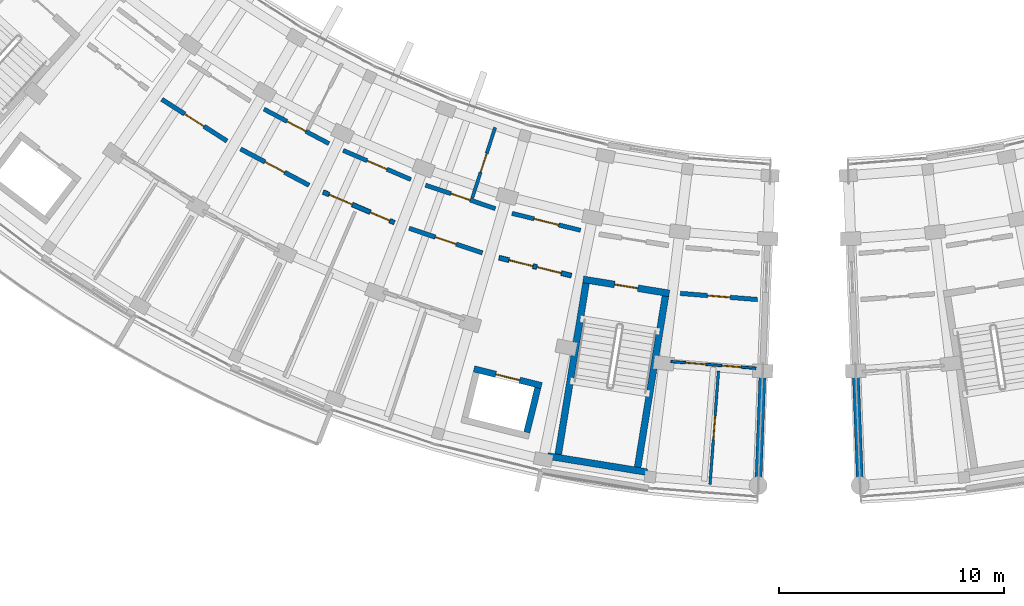
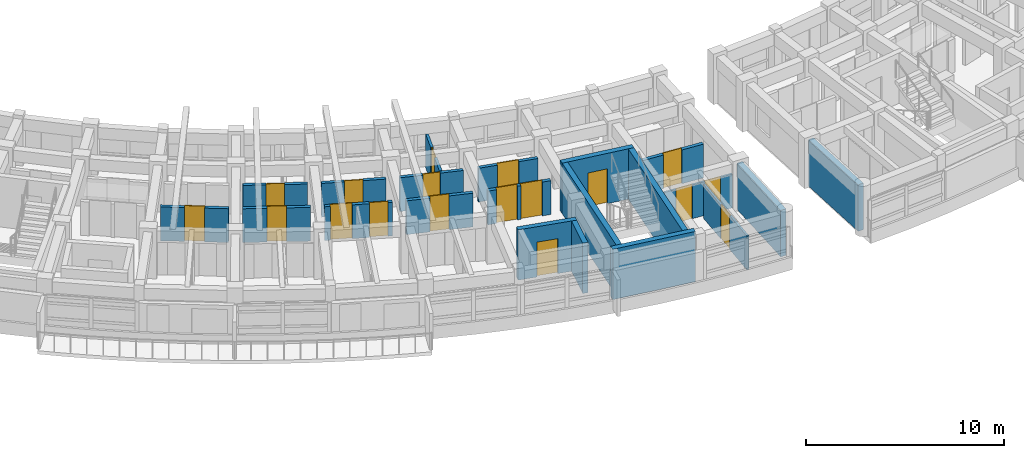
# One storey, part 42 of 70: 21 walls, 18 doors, 18 openings.
"""IFC4 building model written with IfcOpenShell, lengths in metres."""

from ifc_helpers import new_model, si_unit, direction, frame, frame_2d, origin, place, context, subcontext, project, spatial, rectangle, extrude, material, layer, layer_set, type_object, element, fill, save


model = new_model("IFC4")

# Units and contexts
model_context = context("Model", 3, precision=1e-05, world=origin(), true_north=direction((0.0, 1.0)))
body_context = subcontext(model_context, "Body", "Model", "MODEL_VIEW")
ifc_project = project(units=[si_unit("LENGTHUNIT", "METRE"), si_unit("AREAUNIT", "SQUARE_METRE"), si_unit("VOLUMEUNIT", "CUBIC_METRE"), si_unit("PLANEANGLEUNIT", "RADIAN"), si_unit("MASSUNIT", "GRAM", prefix="KILO")], contexts=[model_context])

# Site, building, storey
site_placement = place(None, origin())
site = spatial("IfcSite", under=ifc_project, at=site_placement, CompositionType="ELEMENT")
building_placement = place(site_placement, origin())
building = spatial("IfcBuilding", under=site, at=building_placement, Name="Zimvara Arc Housing Community", CompositionType="ELEMENT")
storey_placement = place(building_placement, frame((0.0, 0.0, 8.10009765625)))
storey = spatial("IfcBuildingStorey", under=building, at=storey_placement, Name="L02", CompositionType="ELEMENT", Elevation=8.10009765625)

# Wall, openings, doors
ifc_material_1 = material(Name="Concrete C35/45", Category="concrete")
ifc_layer_1 = layer(ifc_material_1, 0.2099609375)
ifc_layer_set_1 = layer_set([ifc_layer_1], Name="Concrete C35/45")
wall_type_1 = type_object("IfcWallType", Name="IWL-CCF-210", PredefinedType="SOLIDWALL", material=ifc_layer_set_1)
wall_1_placement = place(storey_placement, frame((112.222900390625, 61.130126953125, 0.0), z_axis=(0.0, 0.0, 1.0), x_axis=(0.970719238682, -0.240216901263, 0.0)))
wall_1 = element("IfcWall", 1, at=wall_1_placement, inside=storey, type_object=wall_type_1, Name="iwall:blkC:L02:ll_div:b7", PredefinedType="SOLIDWALL", context=body_context, shape_type="SweptSolid", body=[
    extrude(rectangle(XDim=3.2958984375, YDim=0.2099609375, at=frame_2d((1.64794921875, 0.0))), origin(), (0.0, 0.0, 1.0), 2.079833984375),
])
opening_1_placement = place(wall_1_placement, frame((0.449951171875, 0.0, 0.0)))
opening_1 = element("IfcOpeningElement", 2, at=opening_1_placement, cuts=wall_1, Name="Opening FD-CCF1", PredefinedType="OPENING", context=body_context, shape_type="SweptSolid", body=[
    extrude(rectangle(XDim=1.10009765625, YDim=2.14990234375, at=frame_2d((0.550048828125, 1.074951171875))), frame((0.0, 0.114990234375, 0.0), z_axis=(0.0, -1.0, 0.0), x_axis=(1.0, 0.0, 0.0)), (0.0, 0.0, 1.0), 0.22998046875),
])
opening_2_placement = place(wall_1_placement, frame((1.72607421875, 0.0, 0.0)))
opening_2 = element("IfcOpeningElement", 3, at=opening_2_placement, cuts=wall_1, Name="Opening D07", PredefinedType="OPENING", context=body_context, shape_type="SweptSolid", body=[
    extrude(rectangle(XDim=1.1201171875, YDim=2.14990234375, at=frame_2d((0.56005859375, 1.074951171875))), frame((0.0, 0.114990234375, 0.0), z_axis=(0.0, -1.0, 0.0), x_axis=(1.0, 0.0, 0.0)), (0.0, 0.0, 1.0), 0.22998046875),
])
ifc_material_2 = material(Name="Mozambican Hardwood", Category="wood")
door_type_1 = type_object("IfcDoorType", Name="IDR-AMN-1120x2150", OperationType="NOTDEFINED", PredefinedType="DOOR", material=ifc_material_2)
door_1_placement = place(opening_2_placement, origin())
door_1 = element("IfcDoor", 4, at=door_1_placement, inside=storey, type_object=door_type_1, Name="idoor:blkC:L02:rs_in:b7", OperationType="SINGLE_SWING_LEFT", OverallHeight=2.14990234375, OverallWidth=1.1201171875, PredefinedType="DOOR", context=body_context, shape_type="SweptSolid", body=[
    extrude(rectangle(XDim=1.1201171875, YDim=2.14990234375, at=frame_2d((0.56005859375, 1.074951171875))), frame((0.0, 0.02490234375, 0.0), z_axis=(0.0, -1.0, 0.0), x_axis=(1.0, 0.0, 0.0)), (0.0, 0.0, 1.0), 0.050048828125),
])
fill(opening_2, door_1)
ifc_material_3 = material(Name="Anodised Aluminium AW-6063", Category="aluminium")
door_type_2 = type_object("IfcDoorType", Name="IDR-CCF-1100x2150", OperationType="NOTDEFINED", PredefinedType="DOOR", material=ifc_material_3)
door_2_placement = place(opening_1_placement, origin())
door_2 = element("IfcDoor", 5, at=door_2_placement, inside=storey, type_object=door_type_2, Name="idoor:blkC:L02:ll_in:b7", OperationType="SINGLE_SWING_RIGHT", OverallHeight=2.14990234375, OverallWidth=1.10009765625, PredefinedType="DOOR", context=body_context, shape_type="SweptSolid", body=[
    extrude(rectangle(XDim=1.10009765625, YDim=2.14990234375, at=frame_2d((0.550048828125, 1.074951171875))), frame((0.0, 0.02490234375, 0.0), z_axis=(0.0, -1.0, 0.0), x_axis=(1.0, 0.0, 0.0)), (0.0, 0.0, 1.0), 0.050048828125),
])
fill(opening_1, door_2)

# Wall, opening, door
ifc_material_4 = material(Name="Concrete C35/45", Category="concrete")
ifc_layer_2 = layer(ifc_material_4, 0.18994140625)
ifc_layer_set_2 = layer_set([ifc_layer_2], Name="Concrete C35/45")
wall_type_2 = type_object("IfcWallType", Name="IWL-CORR-190", PredefinedType="SOLIDWALL", material=ifc_layer_set_2)
wall_2_placement = place(storey_placement, frame((101.78369140625, 67.726318359375, 0.0), z_axis=(0.0, 0.0, 1.0), x_axis=(0.883444301944, -0.468536194293, 0.0)))
wall_2 = element("IfcWall", 6, at=wall_2_placement, inside=storey, type_object=wall_type_2, Name="iwall:blkC:L02:corr_in:b4", PredefinedType="SOLIDWALL", context=body_context, shape_type="SweptSolid", body=[
    extrude(rectangle(XDim=3.268798828125, YDim=0.18994140625, at=frame_2d((1.63427734375, 0.0))), origin(), (0.0, 0.0, 1.0), 2.079833984375),
])
opening_3_placement = place(wall_2_placement, frame((1.164306640625, 0.0, 0.0)))
opening_3 = element("IfcOpeningElement", 7, at=opening_3_placement, cuts=wall_2, Name="Opening D03", PredefinedType="OPENING", context=body_context, shape_type="SweptSolid", body=[
    extrude(rectangle(XDim=0.93994140625, YDim=2.10009765625, at=frame_2d((0.469970703125, 1.050048828125))), frame((0.0, 0.10498046875, 0.0), z_axis=(0.0, -1.0, 0.0), x_axis=(1.0, 0.0, 0.0)), (0.0, 0.0, 1.0), 0.2099609375),
])
ifc_material_5 = material(Name="Mozambican Hardwood", Category="wood")
door_type_3 = type_object("IfcDoorType", Name="IDR-RM-0940x2100", OperationType="NOTDEFINED", PredefinedType="DOOR", material=ifc_material_5)
door_3_placement = place(opening_3_placement, origin())
door_3 = element("IfcDoor", 8, at=door_3_placement, inside=storey, type_object=door_type_3, Name="idoor:blkC:L02:in_rm:b4", OperationType="SINGLE_SWING_LEFT", OverallHeight=2.10009765625, OverallWidth=0.93994140625, PredefinedType="DOOR", context=body_context, shape_type="SweptSolid", body=[
    extrude(rectangle(XDim=0.93994140625, YDim=2.10009765625, at=frame_2d((0.469970703125, 1.050048828125))), frame((0.0, 0.02490234375, 0.0), z_axis=(0.0, -1.0, 0.0), x_axis=(1.0, 0.0, 0.0)), (0.0, 0.0, 1.0), 0.050048828125),
])
fill(opening_3, door_3)

wall_3_placement = place(storey_placement, frame((105.30224609375, 65.892822265625, 0.0), z_axis=(0.0, 0.0, 1.0), x_axis=(0.918723391052, -0.394901672235, 0.0)))
wall_3 = element("IfcWall", 9, at=wall_3_placement, inside=storey, type_object=wall_type_2, Name="iwall:blkC:L02:corr_in:b5", PredefinedType="SOLIDWALL", context=body_context, shape_type="SweptSolid", body=[
    extrude(rectangle(XDim=3.2685546875, YDim=0.18994140625, at=frame_2d((1.63427734375, 0.0))), origin(), (0.0, 0.0, 1.0), 2.079833984375),
])
opening_4_placement = place(wall_3_placement, frame((1.154296875, 0.0, 0.0)))
opening_4 = element("IfcOpeningElement", 10, at=opening_4_placement, cuts=wall_3, Name="Opening D04", PredefinedType="OPENING", context=body_context, shape_type="SweptSolid", body=[
    extrude(rectangle(XDim=0.9599609375, YDim=2.10009765625, at=frame_2d((0.47998046875, 1.050048828125))), frame((0.0, 0.10498046875, 0.0), z_axis=(0.0, -1.0, 0.0), x_axis=(1.0, 0.0, 0.0)), (0.0, 0.0, 1.0), 0.2099609375),
])
ifc_material_6 = material(Name="Mozambican Hardwood", Category="wood")
door_type_4 = type_object("IfcDoorType", Name="IDR-RM-0960x2100", OperationType="NOTDEFINED", PredefinedType="DOOR", material=ifc_material_6)
door_4_placement = place(opening_4_placement, origin())
door_4 = element("IfcDoor", 11, at=door_4_placement, inside=storey, type_object=door_type_4, Name="idoor:blkC:L02:in_rm:b5", OperationType="SINGLE_SWING_RIGHT", OverallHeight=2.10009765625, OverallWidth=0.9599609375, PredefinedType="DOOR", context=body_context, shape_type="SweptSolid", body=[
    extrude(rectangle(XDim=0.9599609375, YDim=2.10009765625, at=frame_2d((0.47998046875, 1.050048828125))), frame((0.0, 0.02490234375, 0.0), z_axis=(0.0, -1.0, 0.0), x_axis=(1.0, 0.0, 0.0)), (0.0, 0.0, 1.0), 0.050048828125),
])
fill(opening_4, door_4)

wall_4_placement = place(storey_placement, frame((108.95849609375, 64.352294921875, 0.0), z_axis=(0.0, 0.0, 1.0), x_axis=(0.94787351033, -0.318646839643, 0.0)))
wall_4 = element("IfcWall", 12, at=wall_4_placement, inside=storey, type_object=wall_type_2, Name="iwall:blkC:L02:corr_in:b6", PredefinedType="SOLIDWALL", context=body_context, shape_type="SweptSolid", body=[
    extrude(rectangle(XDim=3.2685546875, YDim=0.18994140625, at=frame_2d((1.63427734375, 0.0))), origin(), (0.0, 0.0, 1.0), 2.079833984375),
])
opening_5_placement = place(wall_4_placement, frame((1.184326171875, 0.0, 0.0)))
opening_5 = element("IfcOpeningElement", 13, at=opening_5_placement, cuts=wall_4, Name="Opening D01", PredefinedType="OPENING", context=body_context, shape_type="SweptSolid", body=[
    extrude(rectangle(XDim=0.89990234375, YDim=2.10009765625, at=frame_2d((0.449951171875, 1.050048828125))), frame((0.0, 0.10498046875, 0.0), z_axis=(0.0, -1.0, 0.0), x_axis=(1.0, 0.0, 0.0)), (0.0, 0.0, 1.0), 0.2099609375),
])
ifc_material_7 = material(Name="Mozambican Hardwood", Category="wood")
door_type_5 = type_object("IfcDoorType", Name="IDR-RM-0900x2100", OperationType="NOTDEFINED", PredefinedType="DOOR", material=ifc_material_7)
door_5_placement = place(opening_5_placement, origin())
door_5 = element("IfcDoor", 14, at=door_5_placement, inside=storey, type_object=door_type_5, Name="idoor:blkC:L02:in_rm:b6", OperationType="SINGLE_SWING_LEFT", OverallHeight=2.10009765625, OverallWidth=0.89990234375, PredefinedType="DOOR", context=body_context, shape_type="SweptSolid", body=[
    extrude(rectangle(XDim=0.89990234375, YDim=2.10009765625, at=frame_2d((0.449951171875, 1.050048828125))), frame((0.0, 0.02490234375, 0.0), z_axis=(0.0, -1.0, 0.0), x_axis=(1.0, 0.0, 0.0)), (0.0, 0.0, 1.0), 0.050048828125),
])
fill(opening_5, door_5)

wall_5_placement = place(storey_placement, frame((112.796142578125, 63.098388671875, 0.0), z_axis=(0.0, 0.0, 1.0), x_axis=(0.970708998014, -0.240258280136, 0.0)))
wall_5 = element("IfcWall", 15, at=wall_5_placement, inside=storey, type_object=wall_type_2, Name="iwall:blkC:L02:ra_div:b7", PredefinedType="SOLIDWALL", context=body_context, shape_type="SweptSolid", body=[
    extrude(rectangle(XDim=3.128662109375, YDim=0.18994140625, at=frame_2d((1.564453125, 0.0))), origin(), (0.0, 0.0, 1.0), 2.079833984375),
])
opening_6_placement = place(wall_5_placement, frame((1.00439453125, 0.0, 0.0)))
opening_6 = element("IfcOpeningElement", 16, at=opening_6_placement, cuts=wall_5, Name="Opening D07", PredefinedType="OPENING", context=body_context, shape_type="SweptSolid", body=[
    extrude(rectangle(XDim=1.1201171875, YDim=2.14990234375, at=frame_2d((0.56005859375, 1.074951171875))), frame((0.0, 0.10498046875, 0.0), z_axis=(0.0, -1.0, 0.0), x_axis=(1.0, 0.0, 0.0)), (0.0, 0.0, 1.0), 0.2099609375),
])
door_6_placement = place(opening_6_placement, origin())
door_6 = element("IfcDoor", 17, at=door_6_placement, inside=storey, type_object=door_type_1, Name="idoor:blkC:L02:ra_d:b7", OperationType="SINGLE_SWING_RIGHT", OverallHeight=2.14990234375, OverallWidth=1.1201171875, PredefinedType="DOOR", context=body_context, shape_type="SweptSolid", body=[
    extrude(rectangle(XDim=1.1201171875, YDim=2.14990234375, at=frame_2d((0.56005859375, 1.074951171875))), frame((0.0, 0.02490234375, 0.0), z_axis=(0.0, -1.0, 0.0), x_axis=(1.0, 0.0, 0.0)), (0.0, 0.0, 1.0), 0.050048828125),
])
fill(opening_6, door_6)

ifc_material_8 = material(Name="Concrete C35/45", Category="concrete")
ifc_layer_3 = layer(ifc_material_8, 0.199951171875)
ifc_layer_set_3 = layer_set([ifc_layer_3], Name="Concrete C35/45")
wall_type_3 = type_object("IfcWallType", Name="IWL-CORR-200", PredefinedType="SOLIDWALL", material=ifc_layer_set_3)
wall_6_placement = place(storey_placement, frame((97.252197265625, 68.160888671875, 0.0), z_axis=(0.0, 0.0, 1.0), x_axis=(0.842289466461, -0.53902546757, 0.0)))
wall_6 = element("IfcWall", 18, at=wall_6_placement, inside=storey, type_object=wall_type_3, Name="iwall:blkC:L02:corr_out:b3", PredefinedType="SOLIDWALL", context=body_context, shape_type="SweptSolid", body=[
    extrude(rectangle(XDim=3.43603515625, YDim=0.199951171875, at=frame_2d((1.718017578125, 0.0))), origin(), (0.0, 0.0, 1.0), 2.079833984375),
])
opening_7_placement = place(wall_6_placement, frame((1.2080078125, 0.0, 0.0)))
opening_7 = element("IfcOpeningElement", 19, at=opening_7_placement, cuts=wall_6, Name="Opening FD-FL2", PredefinedType="OPENING", context=body_context, shape_type="SweptSolid", body=[
    extrude(rectangle(XDim=1.02001953125, YDim=2.14990234375, at=frame_2d((0.510009765625, 1.074951171875))), frame((0.0, 0.10986328125, 0.0), z_axis=(0.0, -1.0, 0.0), x_axis=(1.0, 0.0, 0.0)), (0.0, 0.0, 1.0), 0.219970703125),
])
ifc_material_9 = material(Name="Mozambican Hardwood", Category="wood")
door_type_6 = type_object("IfcDoorType", Name="IDR-FLAT-1020x2150", OperationType="NOTDEFINED", PredefinedType="DOOR", material=ifc_material_9)
door_7_placement = place(opening_7_placement, origin())
door_7 = element("IfcDoor", 20, at=door_7_placement, inside=storey, type_object=door_type_6, Name="idoor:blkC:L02:flat:b3", OperationType="SINGLE_SWING_LEFT", OverallHeight=2.14990234375, OverallWidth=1.02001953125, PredefinedType="DOOR", context=body_context, shape_type="SweptSolid", body=[
    extrude(rectangle(XDim=1.02001953125, YDim=2.14990234375, at=frame_2d((0.510009765625, 1.074951171875))), frame((0.0, 0.02490234375, 0.0), z_axis=(0.0, -1.0, 0.0), x_axis=(1.0, 0.0, 0.0)), (0.0, 0.0, 1.0), 0.050048828125),
])
fill(opening_7, door_7)

wall_7_placement = place(storey_placement, frame((100.750244140625, 65.9560546875, 0.0), z_axis=(0.0, 0.0, 1.0), x_axis=(0.883440266101, -0.468543803963, 0.0)))
wall_7 = element("IfcWall", 21, at=wall_7_placement, inside=storey, type_object=wall_type_3, Name="iwall:blkC:L02:corr_out:b4", PredefinedType="SOLIDWALL", context=body_context, shape_type="SweptSolid", body=[
    extrude(rectangle(XDim=3.435791015625, YDim=0.199951171875, at=frame_2d((1.7177734375, 0.0))), origin(), (0.0, 0.0, 1.0), 2.079833984375),
])
opening_8_placement = place(wall_7_placement, frame((1.22802734375, 0.0, 0.0)))
opening_8 = element("IfcOpeningElement", 22, at=opening_8_placement, cuts=wall_7, Name="Opening FD-FL1", PredefinedType="OPENING", context=body_context, shape_type="SweptSolid", body=[
    extrude(rectangle(XDim=0.97998046875, YDim=2.14990234375, at=frame_2d((0.489990234375, 1.074951171875))), frame((0.0, 0.10986328125, 0.0), z_axis=(0.0, -1.0, 0.0), x_axis=(1.0, 0.0, 0.0)), (0.0, 0.0, 1.0), 0.219970703125),
])
ifc_material_10 = material(Name="Mozambican Hardwood", Category="wood")
door_type_7 = type_object("IfcDoorType", Name="IDR-FLAT-0980x2150", OperationType="NOTDEFINED", PredefinedType="DOOR", material=ifc_material_10)
door_8_placement = place(opening_8_placement, origin())
door_8 = element("IfcDoor", 23, at=door_8_placement, inside=storey, type_object=door_type_7, Name="idoor:blkC:L02:flat:b4", OperationType="SINGLE_SWING_RIGHT", OverallHeight=2.14990234375, OverallWidth=0.97998046875, PredefinedType="DOOR", context=body_context, shape_type="SweptSolid", body=[
    extrude(rectangle(XDim=0.97998046875, YDim=2.14990234375, at=frame_2d((0.489990234375, 1.074951171875))), frame((0.0, 0.02490234375, 0.0), z_axis=(0.0, -1.0, 0.0), x_axis=(1.0, 0.0, 0.0)), (0.0, 0.0, 1.0), 0.050048828125),
])
fill(opening_8, door_8)

# Wall, openings, doors
wall_8_placement = place(storey_placement, frame((104.41650390625, 64.0439453125, 0.0), z_axis=(0.0, 0.0, 1.0), x_axis=(0.918718172399, -0.394913813008, 0.0)))
wall_8 = element("IfcWall", 24, at=wall_8_placement, inside=storey, type_object=wall_type_3, Name="iwall:blkC:L02:corr_out:b5", PredefinedType="SOLIDWALL", context=body_context, shape_type="SweptSolid", body=[
    extrude(rectangle(XDim=3.43603515625, YDim=0.199951171875, at=frame_2d((1.718017578125, 0.0))), origin(), (0.0, 0.0, 1.0), 2.079833984375),
])
opening_9_placement = place(wall_8_placement, frame((0.280029296875, 0.0, 0.0)))
opening_9 = element("IfcOpeningElement", 25, at=opening_9_placement, cuts=wall_8, Name="Opening D07", PredefinedType="OPENING", context=body_context, shape_type="SweptSolid", body=[
    extrude(rectangle(XDim=1.1201171875, YDim=2.14990234375, at=frame_2d((0.56005859375, 1.074951171875))), frame((0.0, 0.10986328125, 0.0), z_axis=(0.0, -1.0, 0.0), x_axis=(1.0, 0.0, 0.0)), (0.0, 0.0, 1.0), 0.219970703125),
])
opening_10_placement = place(wall_8_placement, frame((2.26611328125, 0.0, 0.0)))
opening_10 = element("IfcOpeningElement", 26, at=opening_10_placement, cuts=wall_8, Name="Opening D06", PredefinedType="OPENING", context=body_context, shape_type="SweptSolid", body=[
    extrude(rectangle(XDim=0.949951171875, YDim=2.10009765625, at=frame_2d((0.47509765625, 1.050048828125))), frame((0.0, 0.10986328125, 0.0), z_axis=(0.0, -1.0, 0.0), x_axis=(1.0, 0.0, 0.0)), (0.0, 0.0, 1.0), 0.219970703125),
])
door_9_placement = place(opening_9_placement, origin())
door_9 = element("IfcDoor", 27, at=door_9_placement, inside=storey, type_object=door_type_1, Name="idoor:blkC:L02:amen:b5", OperationType="SINGLE_SWING_RIGHT", OverallHeight=2.14990234375, OverallWidth=1.1201171875, PredefinedType="DOOR", context=body_context, shape_type="SweptSolid", body=[
    extrude(rectangle(XDim=1.1201171875, YDim=2.14990234375, at=frame_2d((0.56005859375, 1.074951171875))), frame((0.0, 0.02490234375, 0.0), z_axis=(0.0, -1.0, 0.0), x_axis=(1.0, 0.0, 0.0)), (0.0, 0.0, 1.0), 0.050048828125),
])
fill(opening_9, door_9)
ifc_material_11 = material(Name="Mozambican Hardwood", Category="wood")
door_type_8 = type_object("IfcDoorType", Name="IDR-AWC-0950x2100", OperationType="NOTDEFINED", PredefinedType="DOOR", material=ifc_material_11)
door_10_placement = place(opening_10_placement, origin())
door_10 = element("IfcDoor", 28, at=door_10_placement, inside=storey, type_object=door_type_8, Name="idoor:blkC:L02:cawc:b5", OperationType="SINGLE_SWING_LEFT", OverallHeight=2.10009765625, OverallWidth=0.949951171875, PredefinedType="DOOR", context=body_context, shape_type="SweptSolid", body=[
    extrude(rectangle(XDim=0.949951171875, YDim=2.10009765625, at=frame_2d((0.47509765625, 1.050048828125))), frame((0.0, 0.02490234375, 0.0), z_axis=(0.0, -1.0, 0.0), x_axis=(1.0, 0.0, 0.0)), (0.0, 0.0, 1.0), 0.050048828125),
])
fill(opening_10, door_10)

# Wall, opening, door
wall_9_placement = place(storey_placement, frame((108.2265625, 62.437255859375, 0.0), z_axis=(0.0, 0.0, 1.0), x_axis=(0.947884468821, -0.318614239745, 0.0)))
wall_9 = element("IfcWall", 29, at=wall_9_placement, inside=storey, type_object=wall_type_3, Name="iwall:blkC:L02:corr_out:b6", PredefinedType="SOLIDWALL", context=body_context, shape_type="SweptSolid", body=[
    extrude(rectangle(XDim=3.435791015625, YDim=0.199951171875, at=frame_2d((1.7177734375, 0.0))), origin(), (0.0, 0.0, 1.0), 2.079833984375),
])
opening_11_placement = place(wall_9_placement, frame((1.22802734375, 0.0, 0.0)))
opening_11 = element("IfcOpeningElement", 30, at=opening_11_placement, cuts=wall_9, Name="Opening FD-FL1", PredefinedType="OPENING", context=body_context, shape_type="SweptSolid", body=[
    extrude(rectangle(XDim=0.97998046875, YDim=2.14990234375, at=frame_2d((0.489990234375, 1.074951171875))), frame((0.0, 0.10986328125, 0.0), z_axis=(0.0, -1.0, 0.0), x_axis=(1.0, 0.0, 0.0)), (0.0, 0.0, 1.0), 0.219970703125),
])
door_11_placement = place(opening_11_placement, origin())
door_11 = element("IfcDoor", 31, at=door_11_placement, inside=storey, type_object=door_type_7, Name="idoor:blkC:L02:flat:b6", OperationType="SINGLE_SWING_RIGHT", OverallHeight=2.14990234375, OverallWidth=0.97998046875, PredefinedType="DOOR", context=body_context, shape_type="SweptSolid", body=[
    extrude(rectangle(XDim=0.97998046875, YDim=2.14990234375, at=frame_2d((0.489990234375, 1.074951171875))), frame((0.0, 0.02490234375, 0.0), z_axis=(0.0, -1.0, 0.0), x_axis=(1.0, 0.0, 0.0)), (0.0, 0.0, 1.0), 0.050048828125),
])
fill(opening_11, door_11)

wall_10_placement = place(storey_placement, frame((120.261474609375, 59.547119140625, 0.0), z_axis=(0.0, 0.0, 1.0), x_axis=(0.996862545573, -0.079152165058, 0.0)))
wall_10 = element("IfcWall", 32, at=wall_10_placement, inside=storey, type_object=wall_type_3, Name="iwall:blkC:L02:corr_out:b9", PredefinedType="SOLIDWALL", context=body_context, shape_type="SweptSolid", body=[
    extrude(rectangle(XDim=3.43603515625, YDim=0.199951171875, at=frame_2d((1.718017578125, 0.0))), origin(), (0.0, 0.0, 1.0), 2.079833984375),
])
opening_12_placement = place(wall_10_placement, frame((1.2080078125, 0.0, 0.0)))
opening_12 = element("IfcOpeningElement", 33, at=opening_12_placement, cuts=wall_10, Name="Opening FD-FL2", PredefinedType="OPENING", context=body_context, shape_type="SweptSolid", body=[
    extrude(rectangle(XDim=1.02001953125, YDim=2.14990234375, at=frame_2d((0.510009765625, 1.074951171875))), frame((0.0, 0.10986328125, 0.0), z_axis=(0.0, -1.0, 0.0), x_axis=(1.0, 0.0, 0.0)), (0.0, 0.0, 1.0), 0.219970703125),
])
door_12_placement = place(opening_12_placement, origin())
door_12 = element("IfcDoor", 34, at=door_12_placement, inside=storey, type_object=door_type_6, Name="idoor:blkC:L02:flat:b9", OperationType="SINGLE_SWING_RIGHT", OverallHeight=2.14990234375, OverallWidth=1.02001953125, PredefinedType="DOOR", context=body_context, shape_type="SweptSolid", body=[
    extrude(rectangle(XDim=1.02001953125, YDim=2.14990234375, at=frame_2d((0.510009765625, 1.074951171875))), frame((0.0, 0.02490234375, 0.0), z_axis=(0.0, -1.0, 0.0), x_axis=(1.0, 0.0, 0.0)), (0.0, 0.0, 1.0), 0.050048828125),
])
fill(opening_12, door_12)

# Wall, openings, doors
ifc_material_12 = material(Name="Painted Acoustic Plasterboard")
ifc_layer_4 = layer(ifc_material_12, 0.110107421875)
ifc_layer_set_4 = layer_set([ifc_layer_4], Name="Painted Acoustic Plasterboard")
wall_type_4 = type_object("IfcWallType", Name="IWL-PART-110", PredefinedType="PARTITIONING", material=ifc_layer_set_4)
wall_11_placement = place(storey_placement, frame((119.846435546875, 56.52294921875, 0.0), z_axis=(0.0, 0.0, 1.0), x_axis=(0.996863292793, -0.079142753818, 0.0)))
wall_11 = element("IfcWall", 35, at=wall_11_placement, inside=storey, type_object=wall_type_4, Name="iwall:blkC:L02:srv:b9", PredefinedType="PARTITIONING", context=body_context, shape_type="SweptSolid", body=[
    extrude(rectangle(XDim=3.78515625, YDim=0.110107421875, at=frame_2d((1.892578125, 0.0))), origin(), (0.0, 0.0, 1.0), 2.079833984375),
])
opening_13_placement = place(wall_11_placement, frame((0.64990234375, 0.0, 0.0)))
opening_13 = element("IfcOpeningElement", 36, at=opening_13_placement, cuts=wall_11, Name="Opening D01", PredefinedType="OPENING", context=body_context, shape_type="SweptSolid", body=[
    extrude(rectangle(XDim=0.89990234375, YDim=2.10009765625, at=frame_2d((0.449951171875, 1.050048828125))), frame((0.0, 0.06494140625, 0.0), z_axis=(0.0, -1.0, 0.0), x_axis=(1.0, 0.0, 0.0)), (0.0, 0.0, 1.0), 0.130126953125),
])
opening_14_placement = place(wall_11_placement, frame((2.255126953125, 0.0, 0.0)))
opening_14 = element("IfcOpeningElement", 37, at=opening_14_placement, cuts=wall_11, Name="Opening D05", PredefinedType="OPENING", context=body_context, shape_type="SweptSolid", body=[
    extrude(rectangle(XDim=0.8798828125, YDim=2.10009765625, at=frame_2d((0.43994140625, 1.050048828125))), frame((0.0, 0.06494140625, 0.0), z_axis=(0.0, -1.0, 0.0), x_axis=(1.0, 0.0, 0.0)), (0.0, 0.0, 1.0), 0.130126953125),
])
door_13_placement = place(opening_13_placement, origin())
door_13 = element("IfcDoor", 38, at=door_13_placement, inside=storey, type_object=door_type_5, Name="idoor:blkC:L02:kit_liv:b9", OperationType="SINGLE_SWING_RIGHT", OverallHeight=2.10009765625, OverallWidth=0.89990234375, PredefinedType="DOOR", context=body_context, shape_type="SweptSolid", body=[
    extrude(rectangle(XDim=0.89990234375, YDim=2.10009765625, at=frame_2d((0.449951171875, 1.050048828125))), frame((0.0, 0.02490234375, 0.0), z_axis=(0.0, -1.0, 0.0), x_axis=(1.0, 0.0, 0.0)), (0.0, 0.0, 1.0), 0.050048828125),
])
fill(opening_13, door_13)
ifc_material_13 = material(Name="Mozambican Hardwood", Category="wood")
door_type_9 = type_object("IfcDoorType", Name="IDR-WC-0880x2100", OperationType="NOTDEFINED", PredefinedType="DOOR", material=ifc_material_13)
door_14_placement = place(opening_14_placement, origin())
door_14 = element("IfcDoor", 39, at=door_14_placement, inside=storey, type_object=door_type_9, Name="idoor:blkC:L02:bath_d:b9", OperationType="SINGLE_SWING_LEFT", OverallHeight=2.10009765625, OverallWidth=0.8798828125, PredefinedType="DOOR", context=body_context, shape_type="SweptSolid", body=[
    extrude(rectangle(XDim=0.8798828125, YDim=2.10009765625, at=frame_2d((0.43994140625, 1.050048828125))), frame((0.0, 0.02490234375, 0.0), z_axis=(0.0, -1.0, 0.0), x_axis=(1.0, 0.0, 0.0)), (0.0, 0.0, 1.0), 0.050048828125),
])
fill(opening_14, door_14)

# Wall, opening, door
ifc_material_14 = material(Name="Painted Acoustic Plasterboard")
ifc_layer_5 = layer(ifc_material_14, 0.1201171875)
ifc_layer_set_5 = layer_set([ifc_layer_5], Name="Painted Acoustic Plasterboard")
wall_type_5 = type_object("IfcWallType", Name="IWL-PART-120", PredefinedType="PARTITIONING", material=ifc_layer_set_5)
wall_12_placement = place(storey_placement, frame((121.95654296875, 56.1103515625, 0.0), z_axis=(0.0, 0.0, 1.0), x_axis=(-0.074644522148, -0.997210206182, 0.0)))
wall_12 = element("IfcWall", 40, at=wall_12_placement, inside=storey, type_object=wall_type_5, Name="iwall:blkC:L02:bed_div:b9", PredefinedType="PARTITIONING", context=body_context, shape_type="SweptSolid", body=[
    extrude(rectangle(XDim=5.050048828125, YDim=0.1201171875, at=frame_2d((2.52490234375, 0.0))), origin(), (0.0, 0.0, 1.0), 2.079833984375),
])
opening_15_placement = place(wall_12_placement, frame((1.9951171875, 0.0, 0.0)))
opening_15 = element("IfcOpeningElement", 41, at=opening_15_placement, cuts=wall_12, Name="Opening D16", PredefinedType="OPENING", context=body_context, shape_type="SweptSolid", body=[
    extrude(rectangle(XDim=1.06005859375, YDim=2.10009765625, at=frame_2d((0.530029296875, 1.050048828125))), frame((0.0, 0.070068359375, 0.0), z_axis=(0.0, -1.0, 0.0), x_axis=(1.0, 0.0, 0.0)), (0.0, 0.0, 1.0), 0.14013671875),
])
ifc_material_15 = material(Name="Mozambican Hardwood", Category="wood")
door_type_10 = type_object("IfcDoorType", Name="IDR-MOD-1060x2220", OperationType="NOTDEFINED", PredefinedType="DOOR", material=ifc_material_15)
door_15_placement = place(opening_15_placement, origin())
door_15 = element("IfcDoor", 42, at=door_15_placement, inside=storey, type_object=door_type_10, Name="idoor:blkC:L02:bed_d:b9", OperationType="SINGLE_SWING_RIGHT", OverallHeight=2.10009765625, OverallWidth=1.06005859375, PredefinedType="DOOR", context=body_context, shape_type="SweptSolid", body=[
    extrude(rectangle(XDim=1.06005859375, YDim=2.10009765625, at=frame_2d((0.530029296875, 1.050048828125))), frame((0.0, 0.02490234375, 0.0), z_axis=(0.0, -1.0, 0.0), x_axis=(1.0, 0.0, 0.0)), (0.0, 0.0, 1.0), 0.050048828125),
])
fill(opening_15, door_15)

ifc_material_16 = material(Name="Painted Acoustic Plasterboard")
ifc_layer_6 = layer(ifc_material_16, 0.14501953125)
ifc_layer_set_6 = layer_set([ifc_layer_6], Name="Painted Acoustic Plasterboard")
wall_type_6 = type_object("IfcWallType", Name="IWL-WET-145", PredefinedType="PARTITIONING", material=ifc_layer_set_6)
wall_13_placement = place(storey_placement, frame((112.04638671875, 66.913818359375, 0.0), z_axis=(0.0, 0.0, 1.0), x_axis=(-0.308582493915, -0.951197584337, 0.0)))
wall_13 = element("IfcWall", 43, at=wall_13_placement, inside=storey, type_object=wall_type_6, Name="iwall:blkC:L02:ens:b6", PredefinedType="PARTITIONING", context=body_context, shape_type="SweptSolid", body=[
    extrude(rectangle(XDim=3.300048828125, YDim=0.14501953125, at=frame_2d((1.64990234375, 0.0))), origin(), (0.0, 0.0, 1.0), 2.079833984375),
])
opening_16_placement = place(wall_13_placement, frame((1.2099609375, 0.0, 0.0)))
opening_16 = element("IfcOpeningElement", 44, at=opening_16_placement, cuts=wall_13, Name="Opening D05", PredefinedType="OPENING", context=body_context, shape_type="SweptSolid", body=[
    extrude(rectangle(XDim=0.8798828125, YDim=2.10009765625, at=frame_2d((0.43994140625, 1.050048828125))), frame((0.0, 0.08251953125, 0.0), z_axis=(0.0, -1.0, 0.0), x_axis=(1.0, 0.0, 0.0)), (0.0, 0.0, 1.0), 0.1650390625),
])
door_16_placement = place(opening_16_placement, origin())
door_16 = element("IfcDoor", 45, at=door_16_placement, inside=storey, type_object=door_type_9, Name="idoor:blkC:L02:ens_d:b6", OperationType="SINGLE_SWING_RIGHT", OverallHeight=2.10009765625, OverallWidth=0.8798828125, PredefinedType="DOOR", context=body_context, shape_type="SweptSolid", body=[
    extrude(rectangle(XDim=0.8798828125, YDim=2.10009765625, at=frame_2d((0.43994140625, 1.050048828125))), frame((0.0, 0.02490234375, 0.0), z_axis=(0.0, -1.0, 0.0), x_axis=(1.0, 0.0, 0.0)), (0.0, 0.0, 1.0), 0.050048828125),
])
fill(opening_16, door_16)

ifc_material_17 = material(Name="Concrete C40/50", Category="concrete")
ifc_layer_7 = layer(ifc_material_17, 0.280029296875)
ifc_layer_set_7 = layer_set([ifc_layer_7], Name="Concrete C40/50")
wall_type_7 = type_object("IfcWallType", Name="WL-CORE-280", PredefinedType="SHEAR", material=ifc_layer_set_7)
wall_14_placement = place(storey_placement, frame((111.10791015625, 56.1962890625, 0.0), z_axis=(0.0, 0.0, 1.0), x_axis=(0.970706856107, -0.240266933861, 0.0)))
wall_14 = element("IfcWall", 46, at=wall_14_placement, inside=storey, type_object=wall_type_7, Name="lwall:LP-C2:L02:front", PredefinedType="SHEAR", context=body_context, shape_type="SweptSolid", body=[
    extrude(rectangle(XDim=3.090087890625, YDim=0.280029296875, at=frame_2d((1.544921875, 0.0))), origin(), (0.0, 0.0, 1.0), 3.099853515625),
])
opening_17_placement = place(wall_14_placement, frame((0.9951171875, 0.0, 0.0)))
opening_17 = element("IfcOpeningElement", 47, at=opening_17_placement, cuts=wall_14, Name="Opening LD-LP-C2", PredefinedType="OPENING", context=body_context, shape_type="SweptSolid", body=[
    extrude(rectangle(XDim=1.10009765625, YDim=2.14990234375, at=frame_2d((0.550048828125, 1.074951171875))), frame((0.0, 0.14990234375, 0.0), z_axis=(0.0, -1.0, 0.0), x_axis=(1.0, 0.0, 0.0)), (0.0, 0.0, 1.0), 0.300048828125),
])
ifc_material_18 = material(Name="Anodised Aluminium AW-6063", Category="aluminium")
door_type_11 = type_object("IfcDoorType", Name="IDR-LD-1100x2150", OperationType="DOUBLE_DOOR_SLIDING", PredefinedType="DOOR", material=ifc_material_18)
door_17_placement = place(opening_17_placement, origin())
door_17 = element("IfcDoor", 48, at=door_17_placement, inside=storey, type_object=door_type_11, Name="Lift LP-C2 Sliding Landing Door L02", OperationType="DOUBLE_DOOR_SLIDING", OverallHeight=2.14990234375, OverallWidth=1.10009765625, PredefinedType="DOOR", context=body_context, shape_type="SweptSolid", body=[
    extrude(rectangle(XDim=1.10009765625, YDim=2.14990234375, at=frame_2d((0.550048828125, 1.074951171875))), frame((0.0, 0.02490234375, 0.0), z_axis=(0.0, -1.0, 0.0), x_axis=(1.0, 0.0, 0.0)), (0.0, 0.0, 1.0), 0.050048828125),
])
fill(opening_17, door_17)

# Wall
wall_15_placement = place(storey_placement, frame((113.93798828125, 55.3515625, 0.0), z_axis=(0.0, 0.0, 1.0), x_axis=(-0.2402993748, -0.970698825832, 0.0)))
element("IfcWall", 49, at=wall_15_placement, inside=storey, type_object=wall_type_7, Name="lwall:LP-C2:L02:right", PredefinedType="SHEAR", context=body_context, shape_type="SweptSolid", body=[
    extrude(rectangle(XDim=2.030029296875, YDim=0.280029296875, at=frame_2d((1.01513671875, 0.0))), origin(), (0.0, 0.0, 1.0), 3.099853515625),
])

# Wall, opening, door
ifc_material_19 = material(Name="Concrete C40/50", Category="concrete")
ifc_layer_8 = layer(ifc_material_19, 0.300048828125)
ifc_layer_set_8 = layer_set([ifc_layer_8], Name="Concrete C40/50")
wall_type_8 = type_object("IfcWallType", Name="WL-CORE-300", PredefinedType="SHEAR", material=ifc_layer_set_8)
wall_16_placement = place(storey_placement, frame((115.953857421875, 60.16943359375, 0.0), z_axis=(0.0, 0.0, 1.0), x_axis=(0.987077443397, -0.160243941341, 0.0)))
wall_16 = element("IfcWall", 50, at=wall_16_placement, inside=storey, type_object=wall_type_8, Name="cwall:ST-C2:L02:near", PredefinedType="SHEAR", context=body_context, shape_type="SweptSolid", body=[
    extrude(rectangle(XDim=3.869873046875, YDim=0.300048828125, at=frame_2d((1.93505859375, 0.0))), origin(), (0.0, 0.0, 1.0), 3.099853515625),
])
opening_18_placement = place(wall_16_placement, frame((1.409912109375, 0.0, 0.0)))
opening_18 = element("IfcOpeningElement", 51, at=opening_18_placement, cuts=wall_16, Name="Opening FD-ST2", PredefinedType="OPENING", context=body_context, shape_type="SweptSolid", body=[
    extrude(rectangle(XDim=1.050048828125, YDim=2.14990234375, at=frame_2d((0.52490234375, 1.074951171875))), frame((0.0, 0.159912109375, 0.0), z_axis=(0.0, -1.0, 0.0), x_axis=(1.0, 0.0, 0.0)), (0.0, 0.0, 1.0), 0.320068359375),
])
ifc_material_20 = material(Name="Anodised Aluminium AW-6063", Category="aluminium")
door_type_12 = type_object("IfcDoorType", Name="IDR-ST-1050x2150", OperationType="NOTDEFINED", PredefinedType="DOOR", material=ifc_material_20)
door_18_placement = place(opening_18_placement, origin())
door_18 = element("IfcDoor", 52, at=door_18_placement, inside=storey, type_object=door_type_12, Name="idoor:ST-C2:L02:entry", OperationType="SINGLE_SWING_RIGHT", OverallHeight=2.14990234375, OverallWidth=1.050048828125, PredefinedType="DOOR", context=body_context, shape_type="SweptSolid", body=[
    extrude(rectangle(XDim=1.050048828125, YDim=2.14990234375, at=frame_2d((0.52490234375, 1.074951171875))), frame((0.0, 0.02490234375, 0.0), z_axis=(0.0, -1.0, 0.0), x_axis=(1.0, 0.0, 0.0)), (0.0, 0.0, 1.0), 0.050048828125),
])
fill(opening_18, door_18)

# Walls
wall_17_placement = place(storey_placement, frame((114.37744140625, 52.330810546875, 0.0), z_axis=(0.0, 0.0, 1.0), x_axis=(0.987077474317, -0.16024375088, 0.0)))
element("IfcWall", 53, at=wall_17_placement, inside=storey, type_object=wall_type_8, Name="cwall:ST-C2:L02:far", PredefinedType="SHEAR", context=body_context, shape_type="SweptSolid", body=[
    extrude(rectangle(XDim=4.47021484375, YDim=0.300048828125, at=frame_2d((2.235107421875, 0.0))), origin(), (0.0, 0.0, 1.0), 3.099853515625),
])
for number, where, z_axis, x_axis, name in (
    (54, (116.077880859375, 59.997314453125, 0.0), (0.0, 0.0, 1.0), (-0.160232517967, -0.987079297821, 0.0), "cwall:ST-C2:L02:left"),
    (55, (119.6015625, 59.42529296875, 0.0), (0.0, 0.0, 1.0), (-0.160201584773, -0.987084318706, 0.0), "cwall:ST-C2:L02:right"),
):
    element("IfcWall", number, at=place(storey_placement, frame(where, z_axis=z_axis, x_axis=x_axis)), inside=storey, type_object=wall_type_8, Name=name, PredefinedType="SHEAR", context=body_context, shape_type="SweptSolid", body=[
        extrude(rectangle(XDim=7.68994140625, YDim=0.300048828125, at=frame_2d((3.844970703125, 0.0))), origin(), (0.0, 0.0, 1.0), 3.099853515625),
    ])
ifc_material_21 = material(Name="Concrete C40/50", Category="concrete")
ifc_layer_9 = layer(ifc_material_21, 0.31005859375)
ifc_layer_set_9 = layer_set([ifc_layer_9], Name="Concrete C40/50")
wall_type_9 = type_object("IfcWallType", Name="WL-SHEAR-310", PredefinedType="SHEAR", material=ifc_layer_set_9)
for number, where, z_axis, x_axis, name in (
    (56, (123.90771484375, 55.919677734375, 0.0), (0.0, 0.0, 1.0), (-0.038381471406, -0.99926315986, 0.0), "swall:blkC:L02:east"),
    (57, (128.05224609375, 55.919677734375, 0.0), (0.0, 0.0, 1.0), (0.038381471406, -0.99926315986, 0.0), "swall:blkD:L02:west"),
):
    element("IfcWall", number, at=place(storey_placement, frame(where, z_axis=z_axis, x_axis=x_axis)), inside=storey, type_object=wall_type_9, Name=name, PredefinedType="SHEAR", context=body_context, shape_type="SweptSolid", body=[
        extrude(rectangle(XDim=4.7197265625, YDim=0.31005859375, at=frame_2d((2.35986328125, 0.0))), origin(), (0.0, 0.0, 1.0), 2.85986328125),
    ])

save(model, "model.ifc")
